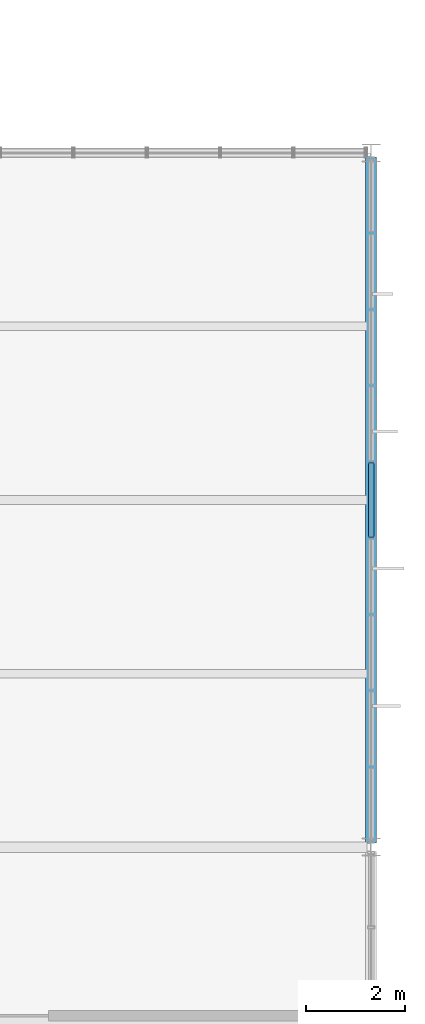
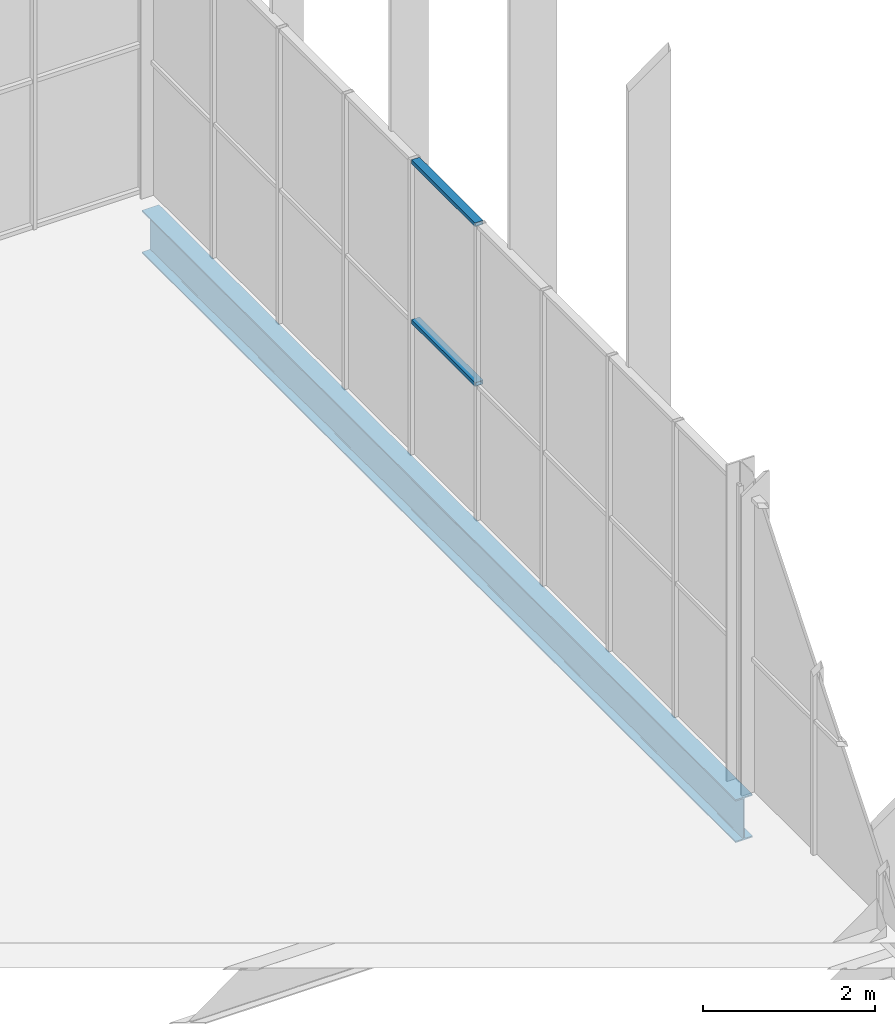
# One storey, part 209 of 324: 3 members, 1 beam, 1 element without a shape of its own.
"""IFC4 building model written with IfcOpenShell, lengths in metres."""

from ifc_helpers import new_model, si_unit, direction, frame, origin, origin_2d, place, context, subcontext, project, spatial, hollow_rectangle, i_section, extrude, material, layer, layer_set, material_profile, profile_set, type_object, element, aggregate, save


model = new_model("IFC4")

# Units and contexts
model_context = context("Model", 3, precision=1e-05, world=origin(), true_north=direction((0.0, 1.0)))
body_context = subcontext(model_context, "Body", "Model", "MODEL_VIEW")
ifc_project = project(units=[si_unit("LENGTHUNIT", "METRE"), si_unit("AREAUNIT", "SQUARE_METRE"), si_unit("VOLUMEUNIT", "CUBIC_METRE"), si_unit("PLANEANGLEUNIT", "RADIAN"), si_unit("MASSUNIT", "GRAM", prefix="KILO")], contexts=[model_context])

# Site, building, storey
site_placement = place(None, origin())
site = spatial("IfcSite", under=ifc_project, at=site_placement, CompositionType="ELEMENT")
building_placement = place(site_placement, origin())
building = spatial("IfcBuilding", under=site, at=building_placement, Name="Solvenia Promenade Tram Depot", CompositionType="ELEMENT")
storey_placement = place(building_placement, frame((0.0, 0.0, 4.5)))
storey = spatial("IfcBuildingStorey", under=building, at=storey_placement, Name="L01", CompositionType="ELEMENT", Elevation=4.5)

# Curtain wall, members
ifc_material_1 = material(Name="Anodized aluminium AW-6063 T6", Category="aluminium")
ifc_layer = layer(ifc_material_1, 0.080078125, Name="Anodized aluminium AW-6063 T6", Category="aluminium")
ifc_layer_set = layer_set([ifc_layer], Name="Anodized aluminium AW-6063 T6")
curtain_wall_type = type_object("IfcCurtainWallType", Name="CW-Clerest-1500", PredefinedType="NOTDEFINED", material=ifc_layer_set)
curtain_wall_placement = place(storey_placement, origin())
curtain_wall = element("IfcCurtainWall", 1, at=curtain_wall_placement, inside=storey, type_object=curtain_wall_type, Name="Curtain Wall CW-V2E-L1-3", PredefinedType="NOTDEFINED")
ifc_material_profile_1 = material_profile(ifc_material_1, hollow_rectangle(XDim=0.110107421875, YDim=0.054931640625, WallThickness=0.00390625, at=origin_2d()), Name="ALU-T4", Category="aluminium")
ifc_profile_set_1 = profile_set([ifc_material_profile_1], Name="Anodized aluminium AW-6063 T6")
member_type = type_object("IfcMemberType", Name="CWT-Transom-4", PredefinedType="USERDEFINED", material=ifc_profile_set_1)
member_1_placement = place(storey_placement, frame((186.0, 58.258544921875, -0.322509765625), z_axis=(0.0, 1.0, 0.0), x_axis=(-1.0, 0.0, 0.0)))
member_1 = element("IfcMember", 2, at=member_1_placement, type_object=member_type, Name="CW-4 transom 5.1", ObjectType="TRANSOM", PredefinedType="USERDEFINED", context=body_context, shape_type="SweptSolid", body=[
    extrude(hollow_rectangle(XDim=0.110107421875, YDim=0.054931640625, WallThickness=0.00390625, at=origin_2d()), origin(), (0.0, 0.0, 1.0), 1.48291015625),
])
member_2_placement = place(storey_placement, frame((186.0, 58.258544921875, 1.89990234375), z_axis=(0.0, 1.0, 0.0), x_axis=(-1.0, 0.0, 0.0)))
member_2 = element("IfcMember", 3, at=member_2_placement, type_object=member_type, Name="CW-4 transom 5.2", ObjectType="TRANSOM", PredefinedType="USERDEFINED", context=body_context, shape_type="SweptSolid", body=[
    extrude(hollow_rectangle(XDim=0.110107421875, YDim=0.054931640625, WallThickness=0.00390625, at=origin_2d()), origin(), (0.0, 0.0, 1.0), 1.48291015625),
])
member_3_placement = place(storey_placement, frame((186.0, 58.258544921875, 4.172607421875), z_axis=(0.0, 1.0, 0.0), x_axis=(-1.0, 0.0, 0.0)))
member_3 = element("IfcMember", 4, at=member_3_placement, type_object=member_type, Name="CW-4 transom 5.3", ObjectType="TRANSOM", PredefinedType="USERDEFINED", context=body_context, shape_type="SweptSolid", body=[
    extrude(hollow_rectangle(XDim=0.110107421875, YDim=0.054931640625, WallThickness=0.00390625, at=origin_2d()), origin(), (0.0, 0.0, 1.0), 1.48291015625),
])
aggregate(curtain_wall, [member_1, member_2, member_3])

# Beam
ifc_material_2 = material(Name="Structural steel ASTM A992 Gr. 50", Category="steel")
ifc_material_profile_2 = material_profile(ifc_material_2, i_section(OverallWidth=0.22900390625, OverallDepth=0.612060546875, WebThickness=0.011962890625, FlangeThickness=0.01953125, FilletRadius=0.014892578125, at=origin_2d()), Name="W610x125", Category="steel")
ifc_profile_set_2 = profile_set([ifc_material_profile_2], Name="Structural steel ASTM A992 Gr. 50")
beam_type = type_object("IfcBeamType", Name="Gird-W610x125", PredefinedType="BEAM", material=ifc_profile_set_2)
beam_placement = place(storey_placement, frame((186.0, 52.0849609375, -0.5458984375), z_axis=(0.0, 1.0, 0.0), x_axis=(-1.0, 0.0, 0.0)))
element("IfcBeam", 5, at=beam_placement, inside=storey, type_object=beam_type, Name="Transverse Girder BM-L01-0160", PredefinedType="BEAM", context=body_context, shape_type="SweptSolid", body=[
    extrude(i_section(OverallWidth=0.22900390625, OverallDepth=0.612060546875, WebThickness=0.011962890625, FlangeThickness=0.01953125, FilletRadius=0.014892578125, at=origin_2d()), origin(), (0.0, 0.0, 1.0), 13.830078125),
])

save(model, "model.ifc")
